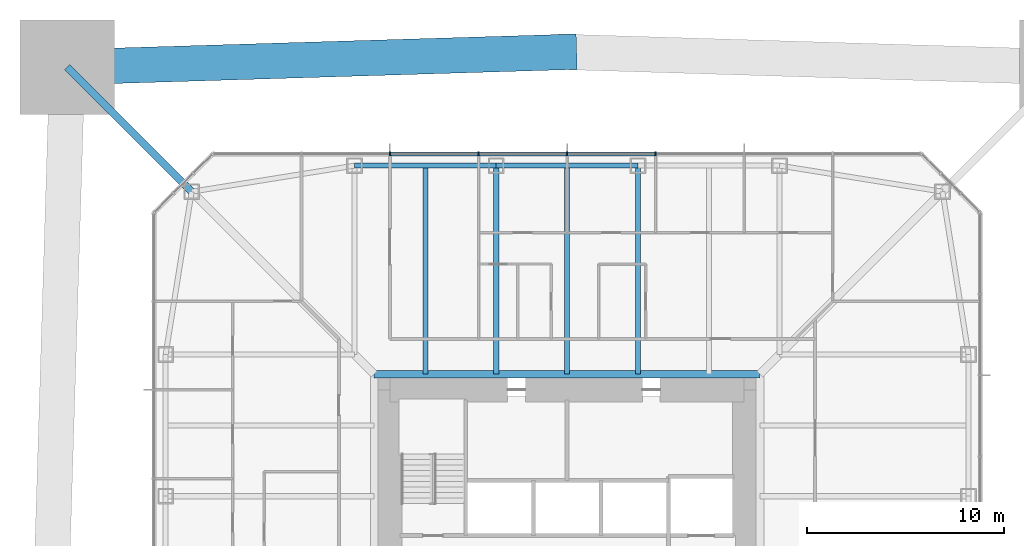
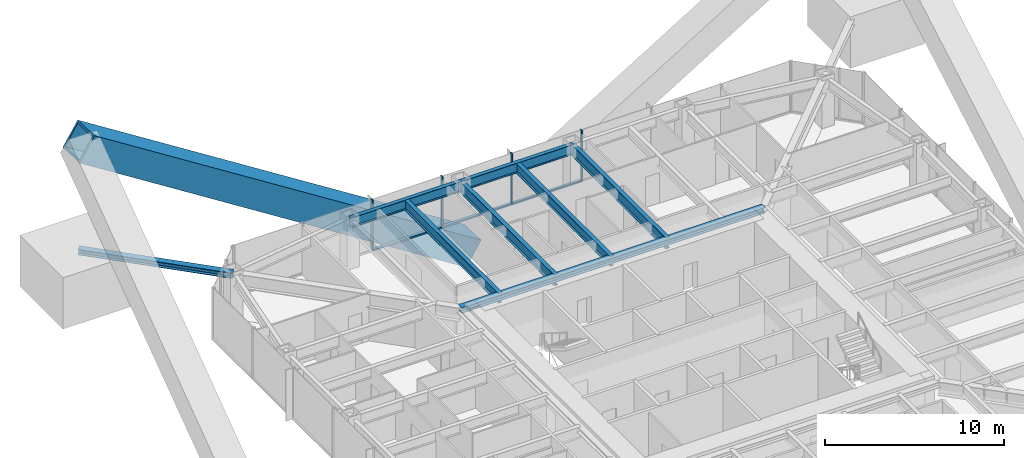
# One storey, part 8 of 28: 9 members, 7 beams, 1 element without a shape of its own.
"""IFC4 building model written with IfcOpenShell, lengths in metres."""

from ifc_helpers import new_model, si_unit, direction, frame, origin, origin_2d, place, context, subcontext, project, spatial, rectangle, hollow_rectangle, i_section, extrude, material, material_profile, profile_set, type_object, element, aggregate, save


model = new_model("IFC4")

# Units and contexts
model_context = context("Model", 3, precision=1e-05, world=origin(), true_north=direction((0.0, 1.0)))
body_context = subcontext(model_context, "Body", "Model", "MODEL_VIEW")
ifc_project = project(units=[si_unit("LENGTHUNIT", "METRE"), si_unit("AREAUNIT", "SQUARE_METRE"), si_unit("VOLUMEUNIT", "CUBIC_METRE"), si_unit("PLANEANGLEUNIT", "RADIAN"), si_unit("MASSUNIT", "GRAM", prefix="KILO")], contexts=[model_context])

# Site, building, storey
site_placement = place(None, origin())
site = spatial("IfcSite", under=ifc_project, at=site_placement, CompositionType="ELEMENT")
building_placement = place(site_placement, origin())
building = spatial("IfcBuilding", under=site, at=building_placement, Name="Iwan Alto Co-Living Towers", CompositionType="ELEMENT")
storey_placement = place(building_placement, frame((0.0, 0.0, 98.0)))
storey = spatial("IfcBuildingStorey", under=building, at=storey_placement, Name="L26", CompositionType="ELEMENT", Elevation=98.0)

# Curtain wall, members
ifc_material_1 = material(Name="Bronze aluminium unitised frame", Category="aluminium")
curtain_wall_type = type_object("IfcCurtainWallType", Name="CURTAIN WALL CW-A", PredefinedType="NOTDEFINED", material=ifc_material_1)
curtain_wall_placement = place(storey_placement, origin())
curtain_wall = element("IfcCurtainWall", 1, at=curtain_wall_placement, inside=storey, type_object=curtain_wall_type, Name="T1 curtain wall N L26", PredefinedType="NOTDEFINED")
ifc_material_2 = material(Name="Aluminium 6063-T6 bronze anodised", Category="aluminium")
ifc_material_profile_1 = material_profile(ifc_material_2, rectangle(XDim=0.199951171875, YDim=0.080078125, at=origin_2d()), Name="AL 80X200")
ifc_profile_set_1 = profile_set([ifc_material_profile_1], Name="Aluminium 6063-T6 bronze anodised")
member_type_1 = type_object("IfcMemberType", Name="CW-A MULLION 80X200", PredefinedType="MULLION", material=ifc_profile_set_1)
member_1_placement = place(storey_placement, frame((4.5, 21.0, 0.0), z_axis=(0.0, 0.0, 1.0), x_axis=(0.0, -1.0, 0.0)))
member_1 = element("IfcMember", 2, at=member_1_placement, type_object=member_type_1, Name="CW-A mullion 4", PredefinedType="MULLION", context=body_context, shape_type="SweptSolid", body=[
    extrude(rectangle(XDim=0.199951171875, YDim=0.080078125, at=origin_2d()), origin(), (0.0, 0.0, 1.0), 3.5),
])
member_2_placement = place(storey_placement, frame((0.0, 21.0, 0.0), z_axis=(0.0, 0.0, 1.0), x_axis=(0.0, -1.0, 0.0)))
member_2 = element("IfcMember", 3, at=member_2_placement, type_object=member_type_1, Name="CW-A mullion 5", PredefinedType="MULLION", context=body_context, shape_type="SweptSolid", body=[
    extrude(rectangle(XDim=0.199951171875, YDim=0.080078125, at=origin_2d()), origin(), (0.0, 0.0, 1.0), 3.5),
])
member_3_placement = place(storey_placement, frame((-4.5, 21.0, 0.0), z_axis=(0.0, 0.0, 1.0), x_axis=(0.0, -1.0, 0.0)))
member_3 = element("IfcMember", 4, at=member_3_placement, type_object=member_type_1, Name="CW-A mullion 6", PredefinedType="MULLION", context=body_context, shape_type="SweptSolid", body=[
    extrude(rectangle(XDim=0.199951171875, YDim=0.080078125, at=origin_2d()), origin(), (0.0, 0.0, 1.0), 3.5),
])
member_4_placement = place(storey_placement, frame((-9.0, 21.0, 0.0), z_axis=(0.0, 0.0, 1.0), x_axis=(0.0, -1.0, 0.0)))
member_4 = element("IfcMember", 5, at=member_4_placement, type_object=member_type_1, Name="CW-A mullion 7", PredefinedType="MULLION", context=body_context, shape_type="SweptSolid", body=[
    extrude(rectangle(XDim=0.199951171875, YDim=0.080078125, at=origin_2d()), origin(), (0.0, 0.0, 1.0), 3.5),
])
ifc_material_3 = material(Name="Aluminium 6063-T6 bronze anodised", Category="aluminium")
ifc_material_profile_2 = material_profile(ifc_material_3, rectangle(XDim=0.199951171875, YDim=0.10009765625, at=origin_2d()), Name="AL 200X100")
ifc_profile_set_2 = profile_set([ifc_material_profile_2], Name="Aluminium 6063-T6 bronze anodised")
member_type_2 = type_object("IfcMemberType", Name="CW-A TRANSOM 200X100", PredefinedType="USERDEFINED", material=ifc_profile_set_2)
member_5_placement = place(storey_placement, frame((4.4599609375, 21.0, 0.050048828125), z_axis=(-1.0, 0.0, 0.0), x_axis=(0.0, -1.0, 0.0)))
member_5 = element("IfcMember", 6, at=member_5_placement, type_object=member_type_2, Name="CW-A transom 4.1", ObjectType="TRANSOM", PredefinedType="USERDEFINED", context=body_context, shape_type="SweptSolid", body=[
    extrude(rectangle(XDim=0.199951171875, YDim=0.10009765625, at=origin_2d()), origin(), (0.0, 0.0, 1.0), 4.419921875),
])
member_6_placement = place(storey_placement, frame((-0.0400390625, 21.0, 0.050048828125), z_axis=(-1.0, 0.0, 0.0), x_axis=(0.0, -1.0, 0.0)))
member_6 = element("IfcMember", 7, at=member_6_placement, type_object=member_type_2, Name="CW-A transom 5.1", ObjectType="TRANSOM", PredefinedType="USERDEFINED", context=body_context, shape_type="SweptSolid", body=[
    extrude(rectangle(XDim=0.199951171875, YDim=0.10009765625, at=origin_2d()), origin(), (0.0, 0.0, 1.0), 4.419921875),
])
member_7_placement = place(storey_placement, frame((-4.5400390625, 21.0, 0.050048828125), z_axis=(-1.0, 0.0, 0.0), x_axis=(0.0, -1.0, 0.0)))
member_7 = element("IfcMember", 8, at=member_7_placement, type_object=member_type_2, Name="CW-A transom 6.1", ObjectType="TRANSOM", PredefinedType="USERDEFINED", context=body_context, shape_type="SweptSolid", body=[
    extrude(rectangle(XDim=0.199951171875, YDim=0.10009765625, at=origin_2d()), origin(), (0.0, 0.0, 1.0), 4.419921875),
])
aggregate(curtain_wall, [member_1, member_2, member_3, member_4, member_5, member_6, member_7])

# Beams
ifc_material_4 = material(Name="Steel ASTM A992 Gr 50", Category="steel")
ifc_material_profile_3 = material_profile(ifc_material_4, i_section(OverallWidth=0.398681640625, OverallDepth=0.385986328125, WebThickness=0.02099609375, FlangeThickness=0.033203125, at=origin_2d()), Name="W14X176")
ifc_profile_set_3 = profile_set([ifc_material_profile_3], Name="Steel ASTM A992 Gr 50")
beam_type_1 = type_object("IfcBeamType", Name="T1 CORE LEDGER BEAM W14X176", PredefinedType="BEAM", material=ifc_profile_set_3)
beam_1_placement = place(storey_placement, frame((9.79931640625, 9.79931640625, 3.076904296875), z_axis=(-1.0, 0.0, 0.0), x_axis=(0.0, -1.0, 0.0)))
element("IfcBeam", 9, at=beam_1_placement, inside=storey, type_object=beam_type_1, Name="T1 core ledger beam N L27", PredefinedType="BEAM", context=body_context, shape_type="SweptSolid", body=[
    extrude(i_section(OverallWidth=0.398681640625, OverallDepth=0.385986328125, WebThickness=0.02099609375, FlangeThickness=0.033203125, at=origin_2d()), origin(), (0.0, 0.0, 1.0), 19.5986328125),
])
ifc_material_5 = material(Name="Steel ASTM A992 Gr 50", Category="steel")
ifc_material_profile_4 = material_profile(ifc_material_5, i_section(OverallWidth=0.25390625, OverallDepth=0.683349609375, WebThickness=0.012451171875, FlangeThickness=0.018798828125, at=origin_2d()), Name="W27X94")
ifc_profile_set_4 = profile_set([ifc_material_profile_4], Name="Steel ASTM A992 Gr 50")
beam_type_2 = type_object("IfcBeamType", Name="T1 EDGE BEAM W27X94", PredefinedType="BEAM", material=ifc_profile_set_4)
beam_2_placement = place(storey_placement, frame((3.60009765625, 20.39990234375, 2.928466796875), z_axis=(-1.0, 0.0, 0.0), x_axis=(0.0, -1.0, 0.0)))
element("IfcBeam", 10, at=beam_2_placement, inside=storey, type_object=beam_type_2, Name="T1 edge beam N2 L27", PredefinedType="BEAM", context=body_context, shape_type="SweptSolid", body=[
    extrude(i_section(OverallWidth=0.25390625, OverallDepth=0.683349609375, WebThickness=0.012451171875, FlangeThickness=0.018798828125, at=origin_2d()), origin(), (0.0, 0.0, 1.0), 7.2001953125),
])
beam_3_placement = place(storey_placement, frame((-3.60009765625, 20.39990234375, 2.928466796875), z_axis=(-1.0, 0.0, 0.0), x_axis=(0.0, -1.0, 0.0)))
element("IfcBeam", 11, at=beam_3_placement, inside=storey, type_object=beam_type_2, Name="T1 edge beam N3 L27", PredefinedType="BEAM", context=body_context, shape_type="SweptSolid", body=[
    extrude(i_section(OverallWidth=0.25390625, OverallDepth=0.683349609375, WebThickness=0.012451171875, FlangeThickness=0.018798828125, at=origin_2d()), origin(), (0.0, 0.0, 1.0), 7.199951171875),
])

# Members
ifc_material_6 = material(Name="Steel ASTM A572 Gr 42", Category="steel")
ifc_material_profile_5 = material_profile(ifc_material_6, hollow_rectangle(XDim=1.800048828125, YDim=1.800048828125, WallThickness=0.1298828125, at=origin_2d()), Name="BOX 1800X1800X130")
ifc_profile_set_5 = profile_set([ifc_material_profile_5], Name="Steel ASTM A572 Gr 42")
member_type_3 = type_object("IfcMemberType", Name="T1 MEGA BRACE BOX 1800X1800X130", PredefinedType="BRACE", material=ifc_profile_set_5)
member_8_placement = place(storey_placement, frame((0.0, 26.175537109375, -5.98095703125), z_axis=(-0.838605576524, -0.025608430733, 0.544136835087), x_axis=(0.030522691262, -0.999534074116, 0.0)))
element("IfcMember", 12, at=member_8_placement, inside=storey, type_object=member_type_3, Name="T1 mega brace Z2A N 1 upper", PredefinedType="BRACE", context=body_context, shape_type="SweptSolid", body=[
    extrude(hollow_rectangle(XDim=1.800048828125, YDim=1.800048828125, WallThickness=0.1298828125, at=origin_2d()), origin(), (0.0, 0.0, 1.0), 30.288330078125),
])
ifc_material_7 = material(Name="Steel ASTM A992 Gr 50", Category="steel")
ifc_material_profile_6 = material_profile(ifc_material_7, i_section(OverallWidth=0.393798828125, OverallDepth=0.3759765625, WebThickness=0.017333984375, FlangeThickness=0.027587890625, at=origin_2d()), Name="W14X145")
ifc_profile_set_6 = profile_set([ifc_material_profile_6], Name="Steel ASTM A992 Gr 50")
member_type_4 = type_object("IfcMemberType", Name="T1 MEGA COLUMN FLOOR TIE W14X145", PredefinedType="STRUT", material=ifc_profile_set_6)
member_9_placement = place(storey_placement, frame((-25.39990234375, 25.39990234375, 3.08203125), z_axis=(0.707106781187, -0.707106781187, 0.0), x_axis=(0.707106781187, 0.707106781187, 0.0)))
element("IfcMember", 13, at=member_9_placement, inside=storey, type_object=member_type_4, Name="T1 mega column floor tie NW L27", PredefinedType="STRUT", context=body_context, shape_type="SweptSolid", body=[
    extrude(i_section(OverallWidth=0.393798828125, OverallDepth=0.3759765625, WebThickness=0.017333984375, FlangeThickness=0.027587890625, at=origin_2d()), origin(), (0.0, 0.0, 1.0), 8.94384765625),
])

# Beams
ifc_material_8 = material(Name="Steel ASTM A992 Gr 50", Category="steel")
ifc_material_profile_7 = material_profile(ifc_material_8, i_section(OverallWidth=0.2666015625, OverallDepth=0.761962890625, WebThickness=0.014404296875, FlangeThickness=0.021484375, at=origin_2d()), Name="W30X116")
ifc_profile_set_7 = profile_set([ifc_material_profile_7], Name="Steel ASTM A992 Gr 50")
beam_type_3 = type_object("IfcBeamType", Name="T1 RADIAL BEAM W30X116", PredefinedType="BEAM", material=ifc_profile_set_7)
for number, where, z_axis, x_axis, name in (
    (14, (3.60009765625, 20.39990234375, 2.888916015625), (0.0, -1.0, 0.0), (1.0, 0.0, 0.0), "T1 radial beam N2 L27"),
    (15, (-3.60009765625, 20.39990234375, 2.888916015625), (0.0, -1.0, 0.0), (1.0, 0.0, 0.0), "T1 radial beam N3 L27"),
):
    element("IfcBeam", number, at=place(storey_placement, frame(where, z_axis=z_axis, x_axis=x_axis)), inside=storey, type_object=beam_type_3, Name=name, PredefinedType="BEAM", context=body_context, shape_type="SweptSolid", body=[
        extrude(i_section(OverallWidth=0.2666015625, OverallDepth=0.761962890625, WebThickness=0.014404296875, FlangeThickness=0.021484375, at=origin_2d()), origin(), (0.0, 0.0, 1.0), 10.6005859375),
    ])
ifc_material_9 = material(Name="Steel ASTM A992 Gr 50", Category="steel")
ifc_material_profile_8 = material_profile(ifc_material_9, i_section(OverallWidth=0.25390625, OverallDepth=0.683349609375, WebThickness=0.012451171875, FlangeThickness=0.018798828125, at=origin_2d()), Name="W27X94")
ifc_profile_set_8 = profile_set([ifc_material_profile_8], Name="Steel ASTM A992 Gr 50")
beam_type_4 = type_object("IfcBeamType", Name="T1 SECONDARY BEAM W27X94", PredefinedType="JOIST", material=ifc_profile_set_8)
for number, where, z_axis, x_axis, name in (
    (16, (0.0, 20.39990234375, 2.928466796875), (0.0, -1.0, 0.0), (1.0, 0.0, 0.0), "T1 secondary beam N2 L27"),
    (17, (-7.199951171875, 20.39990234375, 2.928466796875), (0.0, -1.0, 0.0), (1.0, 0.0, 0.0), "T1 secondary beam N3 L27"),
):
    element("IfcBeam", number, at=place(storey_placement, frame(where, z_axis=z_axis, x_axis=x_axis)), inside=storey, type_object=beam_type_4, Name=name, PredefinedType="JOIST", context=body_context, shape_type="SweptSolid", body=[
        extrude(i_section(OverallWidth=0.25390625, OverallDepth=0.683349609375, WebThickness=0.012451171875, FlangeThickness=0.018798828125, at=origin_2d()), origin(), (0.0, 0.0, 1.0), 10.6005859375),
    ])

save(model, "model.ifc")
